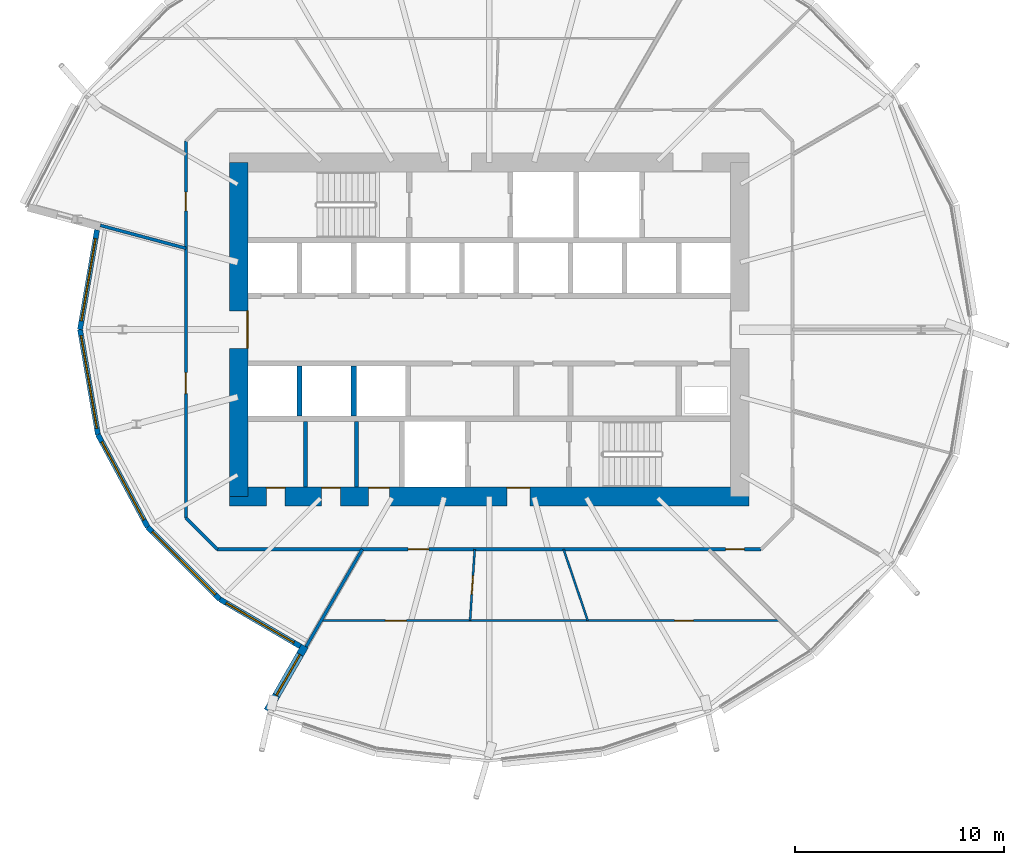
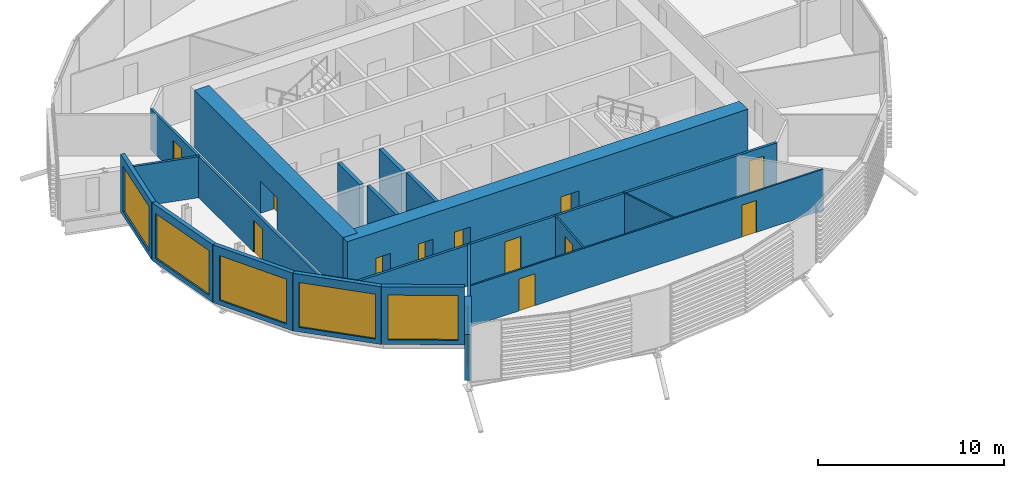
# One storey, part 21 of 38: 20 walls, 12 doors, 6 windows, 18 openings.
"""IFC4 building model written with IfcOpenShell, lengths in metres."""

from ifc_helpers import new_model, si_unit, direction, frame, frame_2d, origin, place, context, subcontext, project, spatial, rectangle, extrude, material, layer, layer_set, type_object, element, fill, save


model = new_model("IFC4")

# Units and contexts
model_context = context("Model", 3, precision=1e-05, world=origin(), true_north=direction((0.0, 1.0)))
body_context = subcontext(model_context, "Body", "Model", "MODEL_VIEW")
ifc_project = project(units=[si_unit("LENGTHUNIT", "METRE"), si_unit("AREAUNIT", "SQUARE_METRE"), si_unit("VOLUMEUNIT", "CUBIC_METRE"), si_unit("PLANEANGLEUNIT", "RADIAN"), si_unit("MASSUNIT", "GRAM", prefix="KILO")], contexts=[model_context])

# Site, building, storey
site_placement = place(None, origin())
site = spatial("IfcSite", under=ifc_project, at=site_placement, CompositionType="ELEMENT")
building_placement = place(site_placement, origin())
building = spatial("IfcBuilding", under=site, at=building_placement, Name="Rimbun Link Towers", CompositionType="ELEMENT")
storey_placement = place(building_placement, frame((0.0, 0.0, 56.60009765625)))
storey = spatial("IfcBuildingStorey", under=building, at=storey_placement, Name="L13", CompositionType="ELEMENT", Elevation=56.60009765625)

# Wall, opening, window
ifc_material_1 = material(Name="Dark enamelled glass spandrel on insulated aluminium backpan", Category="aluminium")
ifc_layer_1 = layer(ifc_material_1, 0.25)
ifc_layer_set_1 = layer_set([ifc_layer_1], Name="CS dark enamelled spandrel wall 250")
wall_type_1 = type_object("IfcWallType", Name="CS dark enamelled spandrel wall 250", PredefinedType="STANDARD", material=ifc_layer_set_1)
wall_1_placement = place(storey_placement, frame((-51.347900390625, 0.0, 0.0), z_axis=(0.0, 0.0, 1.0), x_axis=(0.168166241622, 0.985758649558, 0.0)))
wall_1 = element("IfcWall", 1, at=wall_1_placement, inside=storey, type_object=wall_type_1, Name="Crease spandrel wall", PredefinedType="STANDARD", context=body_context, shape_type="SweptSolid", body=[
    extrude(rectangle(XDim=4.84326171875, YDim=0.25, at=frame_2d((2.421630859375, 0.0))), origin(), (0.0, 0.0, 1.0), 3.7998046875),
])
opening_1_placement = place(wall_1_placement, frame((0.421630859375, 0.0, 0.300048828125)))
opening_1 = element("IfcOpeningElement", 2, at=opening_1_placement, cuts=wall_1, Name="Opening WR40H295", PredefinedType="OPENING", context=body_context, shape_type="SweptSolid", body=[
    extrude(rectangle(XDim=4.0, YDim=2.949951171875, at=frame_2d((2.0, 1.47509765625))), frame((0.0, 0.135009765625, 0.0), z_axis=(0.0, -1.0, 0.0), x_axis=(1.0, 0.0, 0.0)), (0.0, 0.0, 1.0), 0.27001953125),
])
ifc_material_2 = material(Name="Aluminium framed fixed window, dark tinted low-e glass", Category="aluminium")
window_type_1 = type_object("IfcWindowType", Name="WR ribbon window 4000X2950", PartitioningType="SINGLE_PANEL", PredefinedType="WINDOW", material=ifc_material_2)
window_1_placement = place(opening_1_placement, origin())
window_1 = element("IfcWindow", 3, at=window_1_placement, inside=storey, type_object=window_type_1, Name="Crease ribbon window", OverallHeight=2.949951171875, OverallWidth=4.0, PartitioningType="SINGLE_PANEL", PredefinedType="WINDOW", context=body_context, shape_type="SweptSolid", body=[
    extrude(rectangle(XDim=4.0, YDim=2.949951171875, at=frame_2d((2.0, 1.47509765625))), frame((0.0, 0.030029296875, 0.0), z_axis=(0.0, -1.0, 0.0), x_axis=(1.0, 0.0, 0.0)), (0.0, 0.0, 1.0), 0.06005859375),
])
fill(opening_1, window_1)

wall_2_placement = place(storey_placement, frame((-50.48974609375, -5.0302734375, 0.0), z_axis=(0.0, 0.0, 1.0), x_axis=(-0.168168336111, 0.985758292245, 0.0)))
wall_2 = element("IfcWall", 4, at=wall_2_placement, inside=storey, type_object=wall_type_1, Name="Crease spandrel wall", PredefinedType="STANDARD", context=body_context, shape_type="SweptSolid", body=[
    extrude(rectangle(XDim=5.10302734375, YDim=0.25, at=frame_2d((2.551513671875, 0.0))), origin(), (0.0, 0.0, 1.0), 3.7998046875),
])
opening_2_placement = place(wall_2_placement, frame((0.301513671875, 0.0, 0.300048828125)))
opening_2 = element("IfcOpeningElement", 5, at=opening_2_placement, cuts=wall_2, Name="Opening WR45H295", PredefinedType="OPENING", context=body_context, shape_type="SweptSolid", body=[
    extrude(rectangle(XDim=4.5, YDim=2.949951171875, at=frame_2d((2.25, 1.47509765625))), frame((0.0, 0.135009765625, 0.0), z_axis=(0.0, -1.0, 0.0), x_axis=(1.0, 0.0, 0.0)), (0.0, 0.0, 1.0), 0.27001953125),
])
ifc_material_3 = material(Name="Aluminium framed fixed window, dark tinted low-e glass", Category="aluminium")
window_type_2 = type_object("IfcWindowType", Name="WR ribbon window 4500X2950", PartitioningType="SINGLE_PANEL", PredefinedType="WINDOW", material=ifc_material_3)
window_2_placement = place(opening_2_placement, origin())
window_2 = element("IfcWindow", 6, at=window_2_placement, inside=storey, type_object=window_type_2, Name="Crease ribbon window", OverallHeight=2.949951171875, OverallWidth=4.5, PartitioningType="SINGLE_PANEL", PredefinedType="WINDOW", context=body_context, shape_type="SweptSolid", body=[
    extrude(rectangle(XDim=4.5, YDim=2.949951171875, at=frame_2d((2.25, 1.47509765625))), frame((0.0, 0.030029296875, 0.0), z_axis=(0.0, -1.0, 0.0), x_axis=(1.0, 0.0, 0.0)), (0.0, 0.0, 1.0), 0.06005859375),
])
fill(opening_2, window_2)

wall_3_placement = place(storey_placement, frame((-48.107177734375, -9.460693359375, 0.0), z_axis=(0.0, 0.0, 1.0), x_axis=(-0.473630902939, 0.880723434332, 0.0)))
wall_3 = element("IfcWall", 7, at=wall_3_placement, inside=storey, type_object=wall_type_1, Name="Crease spandrel wall", PredefinedType="STANDARD", context=body_context, shape_type="SweptSolid", body=[
    extrude(rectangle(XDim=5.030517578125, YDim=0.25, at=frame_2d((2.51513671875, 0.0))), origin(), (0.0, 0.0, 1.0), 3.7998046875),
])
opening_3_placement = place(wall_3_placement, frame((0.39013671875, 0.0, 0.300048828125)))
opening_3 = element("IfcOpeningElement", 8, at=opening_3_placement, cuts=wall_3, Name="Opening WR42H295", PredefinedType="OPENING", context=body_context, shape_type="SweptSolid", body=[
    extrude(rectangle(XDim=4.25, YDim=2.949951171875, at=frame_2d((2.125, 1.47509765625))), frame((0.0, 0.135009765625, 0.0), z_axis=(0.0, -1.0, 0.0), x_axis=(1.0, 0.0, 0.0)), (0.0, 0.0, 1.0), 0.27001953125),
])
ifc_material_4 = material(Name="Aluminium framed fixed window, dark tinted low-e glass", Category="aluminium")
window_type_3 = type_object("IfcWindowType", Name="WR ribbon window 4250X2950", PartitioningType="SINGLE_PANEL", PredefinedType="WINDOW", material=ifc_material_4)
window_3_placement = place(opening_3_placement, origin())
window_3 = element("IfcWindow", 9, at=window_3_placement, inside=storey, type_object=window_type_3, Name="Crease ribbon window", OverallHeight=2.949951171875, OverallWidth=4.25, PartitioningType="SINGLE_PANEL", PredefinedType="WINDOW", context=body_context, shape_type="SweptSolid", body=[
    extrude(rectangle(XDim=4.25, YDim=2.949951171875, at=frame_2d((2.125, 1.47509765625))), frame((0.0, 0.030029296875, 0.0), z_axis=(0.0, -1.0, 0.0), x_axis=(1.0, 0.0, 0.0)), (0.0, 0.0, 1.0), 0.06005859375),
])
fill(opening_3, window_3)

wall_4_placement = place(storey_placement, frame((-44.64697265625, -12.919677734375, 0.0), z_axis=(0.0, 0.0, 1.0), x_axis=(-0.707231519974, 0.70698202039, 0.0)))
wall_4 = element("IfcWall", 10, at=wall_4_placement, inside=storey, type_object=wall_type_1, Name="Crease spandrel wall", PredefinedType="STANDARD", context=body_context, shape_type="SweptSolid", body=[
    extrude(rectangle(XDim=4.892578125, YDim=0.25, at=frame_2d((2.4462890625, 0.0))), origin(), (0.0, 0.0, 1.0), 3.7998046875),
])
opening_4_placement = place(wall_4_placement, frame((0.3212890625, 0.0, 0.300048828125)))
opening_4 = element("IfcOpeningElement", 11, at=opening_4_placement, cuts=wall_4, Name="Opening WR42H295", PredefinedType="OPENING", context=body_context, shape_type="SweptSolid", body=[
    extrude(rectangle(XDim=4.25, YDim=2.949951171875, at=frame_2d((2.125, 1.47509765625))), frame((0.0, 0.135009765625, 0.0), z_axis=(0.0, -1.0, 0.0), x_axis=(1.0, 0.0, 0.0)), (0.0, 0.0, 1.0), 0.27001953125),
])
window_4_placement = place(opening_4_placement, origin())
window_4 = element("IfcWindow", 12, at=window_4_placement, inside=storey, type_object=window_type_3, Name="Crease ribbon window", OverallHeight=2.949951171875, OverallWidth=4.25, PartitioningType="SINGLE_PANEL", PredefinedType="WINDOW", context=body_context, shape_type="SweptSolid", body=[
    extrude(rectangle(XDim=4.25, YDim=2.949951171875, at=frame_2d((2.125, 1.47509765625))), frame((0.0, 0.030029296875, 0.0), z_axis=(0.0, -1.0, 0.0), x_axis=(1.0, 0.0, 0.0)), (0.0, 0.0, 1.0), 0.06005859375),
])
fill(opening_4, window_4)

wall_5_placement = place(storey_placement, frame((-40.79931640625, -15.173583984375, 0.0), z_axis=(0.0, 0.0, 1.0), x_axis=(-0.86285607233, 0.505449699222, 0.0)))
wall_5 = element("IfcWall", 13, at=wall_5_placement, inside=storey, type_object=wall_type_1, Name="Crease spandrel wall", PredefinedType="STANDARD", context=body_context, shape_type="SweptSolid", body=[
    extrude(rectangle(XDim=4.459228515625, YDim=0.25, at=frame_2d((2.2294921875, 0.0))), origin(), (0.0, 0.0, 1.0), 3.7998046875),
])
opening_5_placement = place(wall_5_placement, frame((0.354736328125, 0.0, 0.300048828125)))
opening_5 = element("IfcOpeningElement", 14, at=opening_5_placement, cuts=wall_5, Name="Opening WR38H295", PredefinedType="OPENING", context=body_context, shape_type="SweptSolid", body=[
    extrude(rectangle(XDim=3.75, YDim=2.949951171875, at=frame_2d((1.875, 1.47509765625))), frame((0.0, 0.135009765625, 0.0), z_axis=(0.0, -1.0, 0.0), x_axis=(1.0, 0.0, 0.0)), (0.0, 0.0, 1.0), 0.27001953125),
])
ifc_material_5 = material(Name="Aluminium framed fixed window, dark tinted low-e glass", Category="aluminium")
window_type_4 = type_object("IfcWindowType", Name="WR ribbon window 3750X2950", PartitioningType="SINGLE_PANEL", PredefinedType="WINDOW", material=ifc_material_5)
window_5_placement = place(opening_5_placement, origin())
window_5 = element("IfcWindow", 15, at=window_5_placement, inside=storey, type_object=window_type_4, Name="Crease ribbon window", OverallHeight=2.949951171875, OverallWidth=3.75, PartitioningType="SINGLE_PANEL", PredefinedType="WINDOW", context=body_context, shape_type="SweptSolid", body=[
    extrude(rectangle(XDim=3.75, YDim=2.949951171875, at=frame_2d((1.875, 1.47509765625))), frame((0.0, 0.030029296875, 0.0), z_axis=(0.0, -1.0, 0.0), x_axis=(1.0, 0.0, 0.0)), (0.0, 0.0, 1.0), 0.06005859375),
])
fill(opening_5, window_5)

ifc_material_6 = material(Name="Dark enamelled glass spandrel on insulated aluminium backpan", Category="aluminium")
ifc_layer_2 = layer(ifc_material_6, 0.3701171875)
ifc_layer_set_2 = layer_set([ifc_layer_2], Name="CS dark enamelled spandrel wall 370")
wall_type_2 = type_object("IfcWallType", Name="CS dark enamelled spandrel wall 370", PredefinedType="STANDARD", material=ifc_layer_set_2)
wall_6_placement = place(storey_placement, frame((-42.3671875, -18.259765625, 0.0), z_axis=(0.0, 0.0, 1.0), x_axis=(0.499931032753, 0.866065218382, 0.0)))
wall_6 = element("IfcWall", 16, at=wall_6_placement, inside=storey, type_object=wall_type_2, Name="Crease spandrel wall", PredefinedType="STANDARD", context=body_context, shape_type="SweptSolid", body=[
    extrude(rectangle(XDim=3.580078125, YDim=0.3701171875, at=frame_2d((1.7900390625, 0.0))), origin(), (0.0, 0.0, 1.0), 3.02734375),
])
opening_6_placement = place(wall_6_placement, frame((0.861328125, 0.0, 0.300048828125)))
opening_6 = element("IfcOpeningElement", 17, at=opening_6_placement, cuts=wall_6, Name="Opening WR22H245", PredefinedType="OPENING", context=body_context, shape_type="SweptSolid", body=[
    extrude(rectangle(XDim=2.25, YDim=2.449951171875, at=frame_2d((1.125, 1.22509765625))), frame((0.0, 0.195068359375, 0.0), z_axis=(0.0, -1.0, 0.0), x_axis=(1.0, 0.0, 0.0)), (0.0, 0.0, 1.0), 0.39013671875),
])
ifc_material_7 = material(Name="Aluminium framed fixed window, dark tinted low-e glass", Category="aluminium")
window_type_5 = type_object("IfcWindowType", Name="WR ribbon window 2250X2450", PartitioningType="SINGLE_PANEL", PredefinedType="WINDOW", material=ifc_material_7)
window_6_placement = place(opening_6_placement, origin())
window_6 = element("IfcWindow", 18, at=window_6_placement, inside=storey, type_object=window_type_5, Name="Crease ribbon window", OverallHeight=2.449951171875, OverallWidth=2.25, PartitioningType="SINGLE_PANEL", PredefinedType="WINDOW", context=body_context, shape_type="SweptSolid", body=[
    extrude(rectangle(XDim=2.25, YDim=2.449951171875, at=frame_2d((1.125, 1.22509765625))), frame((0.0, 0.030029296875, 0.0), z_axis=(0.0, -1.0, 0.0), x_axis=(1.0, 0.0, 0.0)), (0.0, 0.0, 1.0), 0.06005859375),
])
fill(opening_6, window_6)

# Walls
ifc_material_8 = material(Name="Masonry blockwork", Category="masonry")
ifc_layer_3 = layer(ifc_material_8, 0.199951171875)
ifc_layer_set_3 = layer_set([ifc_layer_3], Name="Core partition 200")
wall_type_3 = type_object("IfcWallType", Name="Core partition 200", PredefinedType="PARTITIONING", material=ifc_layer_set_3)
for number, where, z_axis, x_axis, name in (
    (19, (-40.550048828125, -4.39990234375, 0.0), (0.0, 0.0, 1.0), (0.0, -1.0, 0.0), "L13 T1 core wall C1"),
    (20, (-38.10009765625, -4.39990234375, 0.0), (0.0, 0.0, 1.0), (0.0, -1.0, 0.0), "L13 T1 core wall C2"),
):
    element("IfcWall", number, at=place(storey_placement, frame(where, z_axis=z_axis, x_axis=x_axis)), inside=storey, type_object=wall_type_3, Name=name, PredefinedType="PARTITIONING", context=body_context, shape_type="SweptSolid", body=[
        extrude(rectangle(XDim=3.150146484375, YDim=0.199951171875, at=frame_2d((1.5751953125, 0.0))), origin(), (0.0, 0.0, 1.0), 3.7998046875),
    ])

# Wall, openings, doors
ifc_material_9 = material(Name="Concrete C60/75", Category="concrete")
ifc_layer_4 = layer(ifc_material_9, 0.89990234375)
ifc_layer_set_4 = layer_set([ifc_layer_4], Name="Core shear wall 900")
wall_type_4 = type_object("IfcWallType", Name="Core shear wall 900", PredefinedType="SHEAR", material=ifc_layer_set_4)
wall_7_placement = place(storey_placement, frame((-44.199951171875, -8.0, 0.0), z_axis=(0.0, 0.0, 1.0), x_axis=(1.0, 0.0, 0.0)))
wall_7 = element("IfcWall", 21, at=wall_7_placement, inside=storey, type_object=wall_type_4, Name="L13 T1 core wall S", PredefinedType="SHEAR", context=body_context, shape_type="SweptSolid", body=[
    extrude(rectangle(XDim=24.89990234375, YDim=0.89990234375, at=frame_2d((12.449951171875, 0.0))), origin(), (0.0, 0.0, 1.0), 3.7998046875),
])
opening_7_placement = place(wall_7_placement, frame((13.300048828125, 0.0, 0.0)))
opening_7 = element("IfcOpeningElement", 22, at=opening_7_placement, cuts=wall_7, Name="Opening C1DCF01S", PredefinedType="OPENING", context=body_context, shape_type="SweptSolid", body=[
    extrude(rectangle(XDim=1.10009765625, YDim=2.10009765625, at=frame_2d((0.550048828125, 1.050048828125))), frame((0.0, 0.4599609375, 0.0), z_axis=(0.0, -1.0, 0.0), x_axis=(1.0, 0.0, 0.0)), (0.0, 0.0, 1.0), 0.919921875),
])
opening_8_placement = place(wall_7_placement, frame((1.77490234375, 0.0, 0.0)))
opening_8 = element("IfcOpeningElement", 23, at=opening_8_placement, cuts=wall_7, Name="Opening C1DWC02S", PredefinedType="OPENING", context=body_context, shape_type="SweptSolid", body=[
    extrude(rectangle(XDim=0.89990234375, YDim=2.10009765625, at=frame_2d((0.449951171875, 1.050048828125))), frame((0.0, 0.4599609375, 0.0), z_axis=(0.0, -1.0, 0.0), x_axis=(1.0, 0.0, 0.0)), (0.0, 0.0, 1.0), 0.919921875),
])
opening_9_placement = place(wall_7_placement, frame((4.425048828125, 0.0, 0.0)))
opening_9 = element("IfcOpeningElement", 24, at=opening_9_placement, cuts=wall_7, Name="Opening C1DWC03S", PredefinedType="OPENING", context=body_context, shape_type="SweptSolid", body=[
    extrude(rectangle(XDim=0.89990234375, YDim=2.10009765625, at=frame_2d((0.449951171875, 1.050048828125))), frame((0.0, 0.4599609375, 0.0), z_axis=(0.0, -1.0, 0.0), x_axis=(1.0, 0.0, 0.0)), (0.0, 0.0, 1.0), 0.919921875),
])
opening_10_placement = place(wall_7_placement, frame((6.675048828125, 0.0, 0.0)))
opening_10 = element("IfcOpeningElement", 25, at=opening_10_placement, cuts=wall_7, Name="Opening C1DAW04S", PredefinedType="OPENING", context=body_context, shape_type="SweptSolid", body=[
    extrude(rectangle(XDim=1.0, YDim=2.10009765625, at=frame_2d((0.5, 1.050048828125))), frame((0.0, 0.4599609375, 0.0), z_axis=(0.0, -1.0, 0.0), x_axis=(1.0, 0.0, 0.0)), (0.0, 0.0, 1.0), 0.919921875),
])
ifc_material_10 = material(Name="Timber", Category="wood")
door_type_1 = type_object("IfcDoorType", Name="Accessible WC door", OperationType="SINGLE_SWING_LEFT", PredefinedType="DOOR", material=ifc_material_10)
door_1_placement = place(opening_10_placement, origin())
door_1 = element("IfcDoor", 26, at=door_1_placement, inside=storey, type_object=door_type_1, Name="L13 T1 accessible wc door", OperationType="SINGLE_SWING_RIGHT", OverallHeight=2.10009765625, OverallWidth=1.0, PredefinedType="DOOR", context=body_context, shape_type="SweptSolid", body=[
    extrude(rectangle(XDim=1.0, YDim=2.10009765625, at=frame_2d((0.5, 1.050048828125))), frame((0.0, 0.4501953125, 0.0), z_axis=(0.0, -1.0, 0.0), x_axis=(1.0, 0.0, 0.0)), (0.0, 0.0, 1.0), 0.050048828125),
])
fill(opening_10, door_1)
ifc_material_11 = material(Name="Steel fire door set", Category="steel")
door_type_2 = type_object("IfcDoorType", Name="Core fire door single", OperationType="SINGLE_SWING_LEFT", PredefinedType="DOOR", material=ifc_material_11)
door_2_placement = place(opening_7_placement, origin())
door_2 = element("IfcDoor", 27, at=door_2_placement, inside=storey, type_object=door_type_2, Name="L13 T1 firefighting lobby s door", OperationType="SINGLE_SWING_LEFT", OverallHeight=2.10009765625, OverallWidth=1.10009765625, PredefinedType="DOOR", context=body_context, shape_type="SweptSolid", body=[
    extrude(rectangle(XDim=1.10009765625, YDim=2.10009765625, at=frame_2d((0.550048828125, 1.050048828125))), frame((0.0, 0.4501953125, 0.0), z_axis=(0.0, -1.0, 0.0), x_axis=(1.0, 0.0, 0.0)), (0.0, 0.0, 1.0), 0.050048828125),
])
fill(opening_7, door_2)
ifc_material_12 = material(Name="Timber", Category="wood")
door_type_3 = type_object("IfcDoorType", Name="WC door", OperationType="SINGLE_SWING_LEFT", PredefinedType="DOOR", material=ifc_material_12)
door_3_placement = place(opening_8_placement, origin())
door_3 = element("IfcDoor", 28, at=door_3_placement, inside=storey, type_object=door_type_3, Name="L13 T1 male wc door", OperationType="SINGLE_SWING_RIGHT", OverallHeight=2.10009765625, OverallWidth=0.89990234375, PredefinedType="DOOR", context=body_context, shape_type="SweptSolid", body=[
    extrude(rectangle(XDim=0.89990234375, YDim=2.10009765625, at=frame_2d((0.449951171875, 1.050048828125))), frame((0.0, 0.4501953125, 0.0), z_axis=(0.0, -1.0, 0.0), x_axis=(1.0, 0.0, 0.0)), (0.0, 0.0, 1.0), 0.050048828125),
])
fill(opening_8, door_3)
door_4_placement = place(opening_9_placement, origin())
door_4 = element("IfcDoor", 29, at=door_4_placement, inside=storey, type_object=door_type_3, Name="L13 T1 female wc door", OperationType="SINGLE_SWING_RIGHT", OverallHeight=2.10009765625, OverallWidth=0.89990234375, PredefinedType="DOOR", context=body_context, shape_type="SweptSolid", body=[
    extrude(rectangle(XDim=0.89990234375, YDim=2.10009765625, at=frame_2d((0.449951171875, 1.050048828125))), frame((0.0, 0.4501953125, 0.0), z_axis=(0.0, -1.0, 0.0), x_axis=(1.0, 0.0, 0.0)), (0.0, 0.0, 1.0), 0.050048828125),
])
fill(opening_9, door_4)

# Wall, opening, door
wall_8_placement = place(storey_placement, frame((-43.75, -8.0, 0.0), z_axis=(0.0, 0.0, 1.0), x_axis=(0.0, 1.0, 0.0)))
wall_8 = element("IfcWall", 30, at=wall_8_placement, inside=storey, type_object=wall_type_4, Name="L13 T1 core wall W", PredefinedType="SHEAR", context=body_context, shape_type="SweptSolid", body=[
    extrude(rectangle(XDim=16.0, YDim=0.89990234375, at=frame_2d((8.0, 0.0))), origin(), (0.0, 0.0, 1.0), 3.7998046875),
])
opening_11_placement = place(wall_8_placement, frame((7.10009765625, 0.0, 0.0)))
opening_11 = element("IfcOpeningElement", 31, at=opening_11_placement, cuts=wall_8, Name="Opening C1DCL01W", PredefinedType="OPENING", context=body_context, shape_type="SweptSolid", body=[
    extrude(rectangle(XDim=1.800048828125, YDim=2.10009765625, at=frame_2d((0.89990234375, 1.050048828125))), frame((0.0, 0.4599609375, 0.0), z_axis=(0.0, -1.0, 0.0), x_axis=(1.0, 0.0, 0.0)), (0.0, 0.0, 1.0), 0.919921875),
])
ifc_material_13 = material(Name="Steel fire door set", Category="steel")
door_type_4 = type_object("IfcDoorType", Name="Core lobby door double", OperationType="DOUBLE_DOOR_SINGLE_SWING", PredefinedType="DOOR", material=ifc_material_13)
door_5_placement = place(opening_11_placement, origin())
door_5 = element("IfcDoor", 32, at=door_5_placement, inside=storey, type_object=door_type_4, Name="L13 T1 lift lobby door", OperationType="DOUBLE_DOOR_SINGLE_SWING", OverallHeight=2.10009765625, OverallWidth=1.800048828125, PredefinedType="DOOR", context=body_context, shape_type="SweptSolid", body=[
    extrude(rectangle(XDim=1.800048828125, YDim=2.10009765625, at=frame_2d((0.89990234375, 1.050048828125))), frame((0.0, -0.39990234375, 0.0), z_axis=(0.0, -1.0, 0.0), x_axis=(1.0, 0.0, 0.0)), (0.0, 0.0, 1.0), 0.050048828125),
])
fill(opening_11, door_5)

# Wall, openings, doors
ifc_material_14 = material(Name="Plasterboard on steel stud, mineral wool", Category="steel")
ifc_layer_5 = layer(ifc_material_14, 0.14990234375)
ifc_layer_set_5 = layer_set([ifc_layer_5], Name="Corridor wall EI 30 150 mm")
wall_type_5 = type_object("IfcWallType", Name="Corridor wall EI 30 150 mm", PredefinedType="PARTITIONING", material=ifc_layer_set_5)
wall_9_placement = place(storey_placement, frame((-18.723388671875, -10.52490234375, 0.0), z_axis=(0.0, 0.0, 1.0), x_axis=(-1.0, 0.0, 0.0)))
wall_9 = element("IfcWall", 33, at=wall_9_placement, inside=storey, type_object=wall_type_5, Name="Corridor wall EI 30 150 mm", PredefinedType="PARTITIONING", context=body_context, shape_type="SweptSolid", body=[
    extrude(rectangle(XDim=26.05322265625, YDim=0.14990234375, at=frame_2d((13.026611328125, 0.0))), origin(), (0.0, 0.0, 1.0), 2.701904296875),
])
opening_12_placement = place(wall_9_placement, frame((15.91064453125, 0.0, 0.0)))
opening_12 = element("IfcOpeningElement", 34, at=opening_12_placement, cuts=wall_9, Name="Opening D01", PredefinedType="OPENING", context=body_context, shape_type="SweptSolid", body=[
    extrude(rectangle(XDim=1.0, YDim=2.10009765625, at=frame_2d((0.5, 1.050048828125))), frame((0.0, 0.0849609375, 0.0), z_axis=(0.0, -1.0, 0.0), x_axis=(1.0, 0.0, 0.0)), (0.0, 0.0, 1.0), 0.169921875),
])
opening_13_placement = place(wall_9_placement, frame((0.80078125, 0.0, 0.0)))
opening_13 = element("IfcOpeningElement", 35, at=opening_13_placement, cuts=wall_9, Name="Opening D02", PredefinedType="OPENING", context=body_context, shape_type="SweptSolid", body=[
    extrude(rectangle(XDim=0.89990234375, YDim=2.10009765625, at=frame_2d((0.449951171875, 1.050048828125))), frame((0.0, 0.0849609375, 0.0), z_axis=(0.0, -1.0, 0.0), x_axis=(1.0, 0.0, 0.0)), (0.0, 0.0, 1.0), 0.169921875),
])
ifc_material_15 = material(Name="Fire-resisting timber door leaf", Category="wood")
door_type_5 = type_object("IfcDoorType", Name="Fire door FD30S 1000", OperationType="NOTDEFINED", PredefinedType="DOOR", material=ifc_material_15)
door_6_placement = place(opening_12_placement, origin())
door_6 = element("IfcDoor", 36, at=door_6_placement, inside=storey, type_object=door_type_5, Name="Fire door FD30S 1000 to Reception", OperationType="SINGLE_SWING_LEFT", OverallHeight=2.10009765625, OverallWidth=1.0, PredefinedType="DOOR", context=body_context, shape_type="SweptSolid", body=[
    extrude(rectangle(XDim=1.0, YDim=2.10009765625, at=frame_2d((0.5, 1.050048828125))), frame((0.0, 0.02490234375, 0.0), z_axis=(0.0, -1.0, 0.0), x_axis=(1.0, 0.0, 0.0)), (0.0, 0.0, 1.0), 0.050048828125),
])
fill(opening_12, door_6)
ifc_material_16 = material(Name="Fire-resisting timber door leaf", Category="wood")
door_type_6 = type_object("IfcDoorType", Name="Fire door FD30S 900", OperationType="NOTDEFINED", PredefinedType="DOOR", material=ifc_material_16)
door_7_placement = place(opening_13_placement, origin())
door_7 = element("IfcDoor", 37, at=door_7_placement, inside=storey, type_object=door_type_6, Name="Fire door FD30S 900 to Cellular office", OperationType="SINGLE_SWING_LEFT", OverallHeight=2.10009765625, OverallWidth=0.89990234375, PredefinedType="DOOR", context=body_context, shape_type="SweptSolid", body=[
    extrude(rectangle(XDim=0.89990234375, YDim=2.10009765625, at=frame_2d((0.449951171875, 1.050048828125))), frame((0.0, 0.02490234375, 0.0), z_axis=(0.0, -1.0, 0.0), x_axis=(1.0, 0.0, 0.0)), (0.0, 0.0, 1.0), 0.050048828125),
])
fill(opening_13, door_7)

# Wall
wall_10_placement = place(storey_placement, frame((-46.27490234375, -9.026611328125, 0.0), z_axis=(0.0, 0.0, 1.0), x_axis=(0.707106781187, -0.707106781187, 0.0)))
element("IfcWall", 38, at=wall_10_placement, inside=storey, type_object=wall_type_5, Name="Corridor wall EI 30 150 mm", PredefinedType="PARTITIONING", context=body_context, shape_type="SweptSolid", body=[
    extrude(rectangle(XDim=2.118896484375, YDim=0.14990234375, at=frame_2d((1.0595703125, 0.0))), origin(), (0.0, 0.0, 1.0), 2.701904296875),
])

# Wall, openings, doors
wall_11_placement = place(storey_placement, frame((-46.27490234375, -9.026611328125, 0.0), z_axis=(0.0, 0.0, 1.0), x_axis=(0.0, 1.0, 0.0)))
wall_11 = element("IfcWall", 39, at=wall_11_placement, inside=storey, type_object=wall_type_5, Name="Corridor wall EI 30 150 mm", PredefinedType="PARTITIONING", context=body_context, shape_type="SweptSolid", body=[
    extrude(rectangle(XDim=18.05322265625, YDim=0.14990234375, at=frame_2d((9.026611328125, 0.0))), origin(), (0.0, 0.0, 1.0), 2.701904296875),
])
opening_14_placement = place(wall_11_placement, frame((14.7158203125, 0.0, 0.0)))
opening_14 = element("IfcOpeningElement", 40, at=opening_14_placement, cuts=wall_11, Name="Opening D02", PredefinedType="OPENING", context=body_context, shape_type="SweptSolid", body=[
    extrude(rectangle(XDim=0.89990234375, YDim=2.10009765625, at=frame_2d((0.449951171875, 1.050048828125))), frame((0.0, 0.0849609375, 0.0), z_axis=(0.0, -1.0, 0.0), x_axis=(1.0, 0.0, 0.0)), (0.0, 0.0, 1.0), 0.169921875),
])
opening_15_placement = place(wall_11_placement, frame((5.95947265625, 0.0, 0.0)))
opening_15 = element("IfcOpeningElement", 41, at=opening_15_placement, cuts=wall_11, Name="Opening D01", PredefinedType="OPENING", context=body_context, shape_type="SweptSolid", body=[
    extrude(rectangle(XDim=1.0, YDim=2.10009765625, at=frame_2d((0.5, 1.050048828125))), frame((0.0, 0.0849609375, 0.0), z_axis=(0.0, -1.0, 0.0), x_axis=(1.0, 0.0, 0.0)), (0.0, 0.0, 1.0), 0.169921875),
])
door_8_placement = place(opening_15_placement, origin())
door_8 = element("IfcDoor", 42, at=door_8_placement, inside=storey, type_object=door_type_5, Name="Fire door FD30S 1000 to Terrace office", OperationType="SINGLE_SWING_RIGHT", OverallHeight=2.10009765625, OverallWidth=1.0, PredefinedType="DOOR", context=body_context, shape_type="SweptSolid", body=[
    extrude(rectangle(XDim=1.0, YDim=2.10009765625, at=frame_2d((0.5, 1.050048828125))), frame((0.0, 0.02490234375, 0.0), z_axis=(0.0, -1.0, 0.0), x_axis=(1.0, 0.0, 0.0)), (0.0, 0.0, 1.0), 0.050048828125),
])
fill(opening_15, door_8)
door_9_placement = place(opening_14_placement, origin())
door_9 = element("IfcDoor", 43, at=door_9_placement, inside=storey, type_object=door_type_6, Name="Fire door FD30S 900 to Print room", OperationType="SINGLE_SWING_LEFT", OverallHeight=2.10009765625, OverallWidth=0.89990234375, PredefinedType="DOOR", context=body_context, shape_type="SweptSolid", body=[
    extrude(rectangle(XDim=0.89990234375, YDim=2.10009765625, at=frame_2d((0.449951171875, 1.050048828125))), frame((0.0, 0.02490234375, 0.0), z_axis=(0.0, -1.0, 0.0), x_axis=(1.0, 0.0, 0.0)), (0.0, 0.0, 1.0), 0.050048828125),
])
fill(opening_14, door_9)

# Wall, opening, door
ifc_material_17 = material(Name="Plasterboard on steel stud", Category="steel")
ifc_layer_6 = layer(ifc_material_17, 0.10009765625)
ifc_layer_set_6 = layer_set([ifc_layer_6], Name="Plasterboard partition 100 mm")
wall_type_6 = type_object("IfcWallType", Name="Plasterboard partition 100 mm", PredefinedType="PARTITIONING", material=ifc_layer_set_6)
wall_12_placement = place(storey_placement, frame((-32.44140625, -10.52490234375, 0.0), z_axis=(0.0, 0.0, 1.0), x_axis=(-0.065530908468, -0.997850539928, 0.0)))
wall_12 = element("IfcWall", 44, at=wall_12_placement, inside=storey, type_object=wall_type_6, Name="Plasterboard partition 100 mm", PredefinedType="PARTITIONING", context=body_context, shape_type="SweptSolid", body=[
    extrude(rectangle(XDim=3.427490234375, YDim=0.10009765625, at=frame_2d((1.7138671875, 0.0))), origin(), (0.0, 0.0, 1.0), 2.701904296875),
])
opening_16_placement = place(wall_12_placement, frame((1.263671875, 0.0, 0.0)))
opening_16 = element("IfcOpeningElement", 45, at=opening_16_placement, cuts=wall_12, Name="Opening D04", PredefinedType="OPENING", context=body_context, shape_type="SweptSolid", body=[
    extrude(rectangle(XDim=0.89990234375, YDim=2.10009765625, at=frame_2d((0.449951171875, 1.050048828125))), frame((0.0, 0.06005859375, 0.0), z_axis=(0.0, -1.0, 0.0), x_axis=(1.0, 0.0, 0.0)), (0.0, 0.0, 1.0), 0.1201171875),
])
ifc_material_18 = material(Name="Timber door leaf", Category="wood")
door_type_7 = type_object("IfcDoorType", Name="Flush door 900", OperationType="NOTDEFINED", PredefinedType="DOOR", material=ifc_material_18)
door_10_placement = place(opening_16_placement, origin())
door_10 = element("IfcDoor", 46, at=door_10_placement, inside=storey, type_object=door_type_7, Name="Flush door 900 to Meeting room", OperationType="SINGLE_SWING_LEFT", OverallHeight=2.10009765625, OverallWidth=0.89990234375, PredefinedType="DOOR", context=body_context, shape_type="SweptSolid", body=[
    extrude(rectangle(XDim=0.89990234375, YDim=2.10009765625, at=frame_2d((0.449951171875, 1.050048828125))), frame((0.0, 0.02490234375, 0.0), z_axis=(0.0, -1.0, 0.0), x_axis=(1.0, 0.0, 0.0)), (0.0, 0.0, 1.0), 0.050048828125),
])
fill(opening_16, door_10)

# Wall, openings, doors
wall_13_placement = place(storey_placement, frame((-17.804931640625, -13.945068359375, 0.0), z_axis=(0.0, 0.0, 1.0), x_axis=(-1.0, 0.0, 0.0)))
wall_13 = element("IfcWall", 47, at=wall_13_placement, inside=storey, type_object=wall_type_6, Name="Plasterboard partition 100 mm", PredefinedType="PARTITIONING", context=body_context, shape_type="SweptSolid", body=[
    extrude(rectangle(XDim=21.996337890625, YDim=0.10009765625, at=frame_2d((10.998046875, 0.0))), origin(), (0.0, 0.0, 1.0), 2.701904296875),
])
opening_17_placement = place(wall_13_placement, frame((17.91357421875, 0.0, 0.0)))
opening_17 = element("IfcOpeningElement", 48, at=opening_17_placement, cuts=wall_13, Name="Opening D03", PredefinedType="OPENING", context=body_context, shape_type="SweptSolid", body=[
    extrude(rectangle(XDim=1.0, YDim=2.10009765625, at=frame_2d((0.5, 1.050048828125))), frame((0.0, 0.06005859375, 0.0), z_axis=(0.0, -1.0, 0.0), x_axis=(1.0, 0.0, 0.0)), (0.0, 0.0, 1.0), 0.1201171875),
])
opening_18_placement = place(wall_13_placement, frame((4.160888671875, 0.0, 0.0)))
opening_18 = element("IfcOpeningElement", 49, at=opening_18_placement, cuts=wall_13, Name="Opening D04", PredefinedType="OPENING", context=body_context, shape_type="SweptSolid", body=[
    extrude(rectangle(XDim=0.89990234375, YDim=2.10009765625, at=frame_2d((0.449951171875, 1.050048828125))), frame((0.0, 0.06005859375, 0.0), z_axis=(0.0, -1.0, 0.0), x_axis=(1.0, 0.0, 0.0)), (0.0, 0.0, 1.0), 0.1201171875),
])
ifc_material_19 = material(Name="Timber door leaf", Category="wood")
door_type_8 = type_object("IfcDoorType", Name="Flush door 1000", OperationType="NOTDEFINED", PredefinedType="DOOR", material=ifc_material_19)
door_11_placement = place(opening_17_placement, origin())
door_11 = element("IfcDoor", 50, at=door_11_placement, inside=storey, type_object=door_type_8, Name="Flush door 1000 to Open office", OperationType="SINGLE_SWING_RIGHT", OverallHeight=2.10009765625, OverallWidth=1.0, PredefinedType="DOOR", context=body_context, shape_type="SweptSolid", body=[
    extrude(rectangle(XDim=1.0, YDim=2.10009765625, at=frame_2d((0.5, 1.050048828125))), frame((0.0, 0.02490234375, 0.0), z_axis=(0.0, -1.0, 0.0), x_axis=(1.0, 0.0, 0.0)), (0.0, 0.0, 1.0), 0.050048828125),
])
fill(opening_17, door_11)
door_12_placement = place(opening_18_placement, origin())
door_12 = element("IfcDoor", 51, at=door_12_placement, inside=storey, type_object=door_type_7, Name="Flush door 900 to Print room", OperationType="SINGLE_SWING_LEFT", OverallHeight=2.10009765625, OverallWidth=0.89990234375, PredefinedType="DOOR", context=body_context, shape_type="SweptSolid", body=[
    extrude(rectangle(XDim=0.89990234375, YDim=2.10009765625, at=frame_2d((0.449951171875, 1.050048828125))), frame((0.0, 0.02490234375, 0.0), z_axis=(0.0, -1.0, 0.0), x_axis=(1.0, 0.0, 0.0)), (0.0, 0.0, 1.0), 0.050048828125),
])
fill(opening_18, door_12)

# Walls
wall_14_placement = place(storey_placement, frame((-27.026611328125, -13.945068359375, 0.0), z_axis=(0.0, 0.0, 1.0), x_axis=(-0.32080801193, 0.947144244285, 0.0)))
element("IfcWall", 52, at=wall_14_placement, inside=storey, type_object=wall_type_6, Name="Plasterboard partition 100 mm", PredefinedType="PARTITIONING", context=body_context, shape_type="SweptSolid", body=[
    extrude(rectangle(XDim=3.611083984375, YDim=0.10009765625, at=frame_2d((1.8056640625, 0.0))), origin(), (0.0, 0.0, 1.0), 2.701904296875),
])
ifc_material_20 = material(Name="Concrete C60/75", Category="concrete")
ifc_layer_7 = layer(ifc_material_20, 0.25)
ifc_layer_set_7 = layer_set([ifc_layer_7], Name="Shaft wall 250")
wall_type_7 = type_object("IfcWallType", Name="Shaft wall 250", PredefinedType="SHEAR", material=ifc_layer_set_7)
for number, where, z_axis, x_axis, name in (
    (53, (-40.83056640625, -4.14990234375, 0.0), (0.0, 0.0, 1.0), (0.0, 1.0, 0.0), "L13 T1 core wall DS0"),
    (54, (-38.236083984375, -4.14990234375, 0.0), (0.0, 0.0, 1.0), (0.0, 1.0, 0.0), "L13 T1 core wall DS1"),
):
    element("IfcWall", number, at=place(storey_placement, frame(where, z_axis=z_axis, x_axis=x_axis)), inside=storey, type_object=wall_type_7, Name=name, PredefinedType="SHEAR", context=body_context, shape_type="SweptSolid", body=[
        extrude(rectangle(XDim=2.39990234375, YDim=0.25, at=frame_2d((1.199951171875, 0.0))), origin(), (0.0, 0.0, 1.0), 3.7998046875),
    ])
ifc_material_21 = material(Name="Plasterboard on steel stud, mineral wool", Category="steel")
ifc_layer_8 = layer(ifc_material_21, 0.14990234375)
ifc_layer_set_8 = layer_set([ifc_layer_8], Name="Tenancy separation wall EI 60 150 mm")
wall_type_8 = type_object("IfcWallType", Name="Tenancy separation wall EI 60 150 mm", PredefinedType="PARTITIONING", material=ifc_layer_set_8)
wall_15_placement = place(storey_placement, frame((-46.27490234375, 3.89208984375, 0.0), z_axis=(0.0, 0.0, 1.0), x_axis=(-0.965934172097, 0.258787896113, 0.0)))
element("IfcWall", 55, at=wall_15_placement, inside=storey, type_object=wall_type_8, Name="Tenancy separation wall EI 60 150 mm", PredefinedType="PARTITIONING", context=body_context, shape_type="SweptSolid", body=[
    extrude(rectangle(XDim=4.23974609375, YDim=0.14990234375, at=frame_2d((2.119873046875, 0.0))), origin(), (0.0, 0.0, 1.0), 2.701904296875),
])
wall_16_placement = place(storey_placement, frame((-37.82666015625, -10.52490234375, 0.0), z_axis=(0.0, 0.0, 1.0), x_axis=(-0.499978670142, -0.866037718234, 0.0)))
element("IfcWall", 56, at=wall_16_placement, inside=storey, type_object=wall_type_8, Name="Tenancy separation wall EI 60 150 mm", PredefinedType="PARTITIONING", context=body_context, shape_type="SweptSolid", body=[
    extrude(rectangle(XDim=5.388916015625, YDim=0.14990234375, at=frame_2d((2.6943359375, 0.0))), origin(), (0.0, 0.0, 1.0), 2.701904296875),
])

save(model, "model.ifc")
